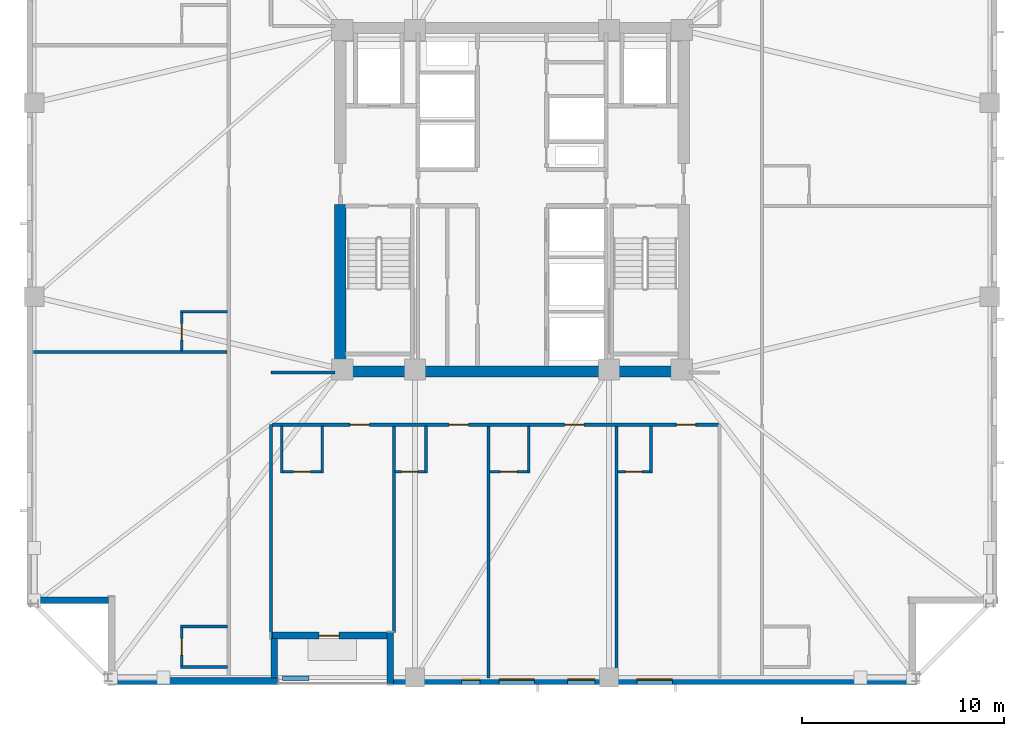
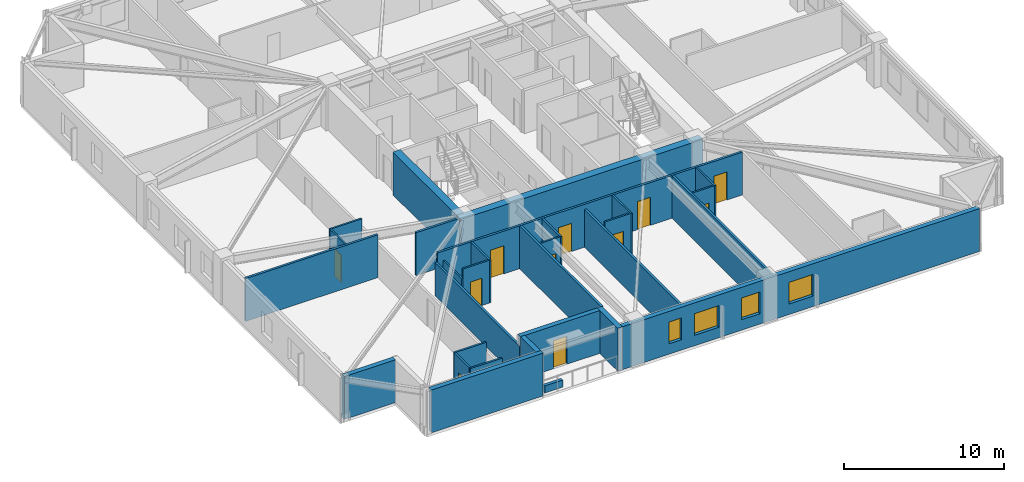
# One storey, part 2 of 10: 30 walls, 11 doors, 4 windows, 15 openings.
"""IFC4 building model written with IfcOpenShell, lengths in metres."""

from ifc_helpers import new_model, si_unit, direction, frame, frame_2d, origin, place, context, subcontext, project, spatial, rectangle, extrude, material, layer, layer_set, type_object, element, fill, save


model = new_model("IFC4")

# Units and contexts
model_context = context("Model", 3, precision=1e-05, world=origin(), true_north=direction((0.0, 1.0)))
body_context = subcontext(model_context, "Body", "Model", "MODEL_VIEW")
ifc_project = project(units=[si_unit("LENGTHUNIT", "METRE"), si_unit("AREAUNIT", "SQUARE_METRE"), si_unit("VOLUMEUNIT", "CUBIC_METRE"), si_unit("PLANEANGLEUNIT", "RADIAN"), si_unit("MASSUNIT", "GRAM", prefix="KILO")], contexts=[model_context])

# Site, building, storey
site_placement = place(None, origin())
site = spatial("IfcSite", under=ifc_project, at=site_placement, CompositionType="ELEMENT")
building_placement = place(site_placement, origin())
building = spatial("IfcBuilding", under=site, at=building_placement, Name="Cairnveth Concourse Tower", CompositionType="ELEMENT")
storey_placement = place(building_placement, frame((0.0, 0.0, 144.5)))
storey = spatial("IfcBuildingStorey", under=building, at=storey_placement, Name="L39", CompositionType="ELEMENT", Elevation=144.5)

# Walls
ifc_material_1 = material(Name="Gypsum Plasterboard Partition", Category="gypsum")
ifc_layer_1 = layer(ifc_material_1, 0.159912109375)
ifc_layer_set_1 = layer_set([ifc_layer_1], Name="Gypsum Plasterboard Partition")
wall_type_1 = type_object("IfcWallType", Name="ACOUSTIC PARTY WALL 180", PredefinedType="PARTITIONING", material=ifc_layer_set_1)
wall_1_placement = place(storey_placement, frame((40.074951171875, 17.261962890625, 0.0), z_axis=(0.0, 0.0, 1.0), x_axis=(0.0, 1.0, 0.0)))
element("IfcWall", 1, at=wall_1_placement, inside=storey, type_object=wall_type_1, Name="Interior Wall IW-L39-038", PredefinedType="PARTITIONING", context=body_context, shape_type="SweptSolid", body=[
    extrude(rectangle(XDim=10.59814453125, YDim=0.159912109375, at=frame_2d((5.299072265625, 0.0))), origin(), (0.0, 0.0, 1.0), 2.554931640625),
])
wall_2_placement = place(storey_placement, frame((40.074951171875, 30.449951171875, 0.0), z_axis=(0.0, 0.0, 1.0), x_axis=(1.0, 0.0, 0.0)))
element("IfcWall", 2, at=wall_2_placement, inside=storey, type_object=wall_type_1, Name="Interior Wall IW-L39-040", PredefinedType="PARTITIONING", context=body_context, shape_type="SweptSolid", body=[
    extrude(rectangle(XDim=3.16015625, YDim=0.159912109375, at=frame_2d((1.580078125, 0.0))), origin(), (0.0, 0.0, 1.0), 3.280029296875),
])

# Wall, openings, doors
wall_3_placement = place(storey_placement, frame((40.139892578125, 27.860107421875, 0.0), z_axis=(0.0, 0.0, 1.0), x_axis=(1.0, 0.0, 0.0)))
wall_3 = element("IfcWall", 3, at=wall_3_placement, inside=storey, type_object=wall_type_1, Name="Interior Wall IW-L39-047", PredefinedType="PARTITIONING", context=body_context, shape_type="SweptSolid", body=[
    extrude(rectangle(XDim=22.070068359375, YDim=0.159912109375, at=frame_2d((11.03515625, 0.0))), origin(), (0.0, 0.0, 1.0), 3.280029296875),
])
opening_1_placement = place(wall_3_placement, frame((3.833740234375, 0.0, 0.0)))
opening_1 = element("IfcOpeningElement", 4, at=opening_1_placement, cuts=wall_3, Name="Opening ID09", PredefinedType="OPENING", context=body_context, shape_type="SweptSolid", body=[
    extrude(rectangle(XDim=0.9599609375, YDim=2.14990234375, at=frame_2d((0.47998046875, 1.074951171875))), frame((0.0, 0.08984375, 0.0), z_axis=(0.0, -1.0, 0.0), x_axis=(1.0, 0.0, 0.0)), (0.0, 0.0, 1.0), 0.179931640625),
])
opening_2_placement = place(wall_3_placement, frame((8.746337890625, 0.0, 0.0)))
opening_2 = element("IfcOpeningElement", 5, at=opening_2_placement, cuts=wall_3, Name="Opening ID09", PredefinedType="OPENING", context=body_context, shape_type="SweptSolid", body=[
    extrude(rectangle(XDim=0.9599609375, YDim=2.14990234375, at=frame_2d((0.47998046875, 1.074951171875))), frame((0.0, 0.08984375, 0.0), z_axis=(0.0, -1.0, 0.0), x_axis=(1.0, 0.0, 0.0)), (0.0, 0.0, 1.0), 0.179931640625),
])
opening_3_placement = place(wall_3_placement, frame((14.4599609375, 0.0, 0.0)))
opening_3 = element("IfcOpeningElement", 6, at=opening_3_placement, cuts=wall_3, Name="Opening ID09", PredefinedType="OPENING", context=body_context, shape_type="SweptSolid", body=[
    extrude(rectangle(XDim=0.9599609375, YDim=2.14990234375, at=frame_2d((0.47998046875, 1.074951171875))), frame((0.0, 0.08984375, 0.0), z_axis=(0.0, -1.0, 0.0), x_axis=(1.0, 0.0, 0.0)), (0.0, 0.0, 1.0), 0.179931640625),
])
opening_4_placement = place(wall_3_placement, frame((19.99267578125, 0.0, 0.0)))
opening_4 = element("IfcOpeningElement", 7, at=opening_4_placement, cuts=wall_3, Name="Opening ID09", PredefinedType="OPENING", context=body_context, shape_type="SweptSolid", body=[
    extrude(rectangle(XDim=0.9599609375, YDim=2.14990234375, at=frame_2d((0.47998046875, 1.074951171875))), frame((0.0, 0.08984375, 0.0), z_axis=(0.0, -1.0, 0.0), x_axis=(1.0, 0.0, 0.0)), (0.0, 0.0, 1.0), 0.179931640625),
])
ifc_material_2 = material(Name="Solid Core Hardwood Timber Leaf", Category="wood")
door_type_1 = type_object("IfcDoorType", Name="HOTEL ENTRANCE DOOR 960X2150", OperationType="NOTDEFINED", PredefinedType="DOOR", material=ifc_material_2)
door_1_placement = place(opening_1_placement, origin())
door_1 = element("IfcDoor", 8, at=door_1_placement, inside=storey, type_object=door_type_1, Name="Hotel Room Door L39-S1", OperationType="SINGLE_SWING_RIGHT", OverallHeight=2.14990234375, OverallWidth=0.9599609375, PredefinedType="DOOR", context=body_context, shape_type="SweptSolid", body=[
    extrude(rectangle(XDim=0.9599609375, YDim=2.14990234375, at=frame_2d((0.47998046875, 1.074951171875))), frame((0.0, 0.02490234375, 0.0), z_axis=(0.0, -1.0, 0.0), x_axis=(1.0, 0.0, 0.0)), (0.0, 0.0, 1.0), 0.050048828125),
])
fill(opening_1, door_1)
door_2_placement = place(opening_2_placement, origin())
door_2 = element("IfcDoor", 9, at=door_2_placement, inside=storey, type_object=door_type_1, Name="Hotel Room Door L39-S2", OperationType="SINGLE_SWING_RIGHT", OverallHeight=2.14990234375, OverallWidth=0.9599609375, PredefinedType="DOOR", context=body_context, shape_type="SweptSolid", body=[
    extrude(rectangle(XDim=0.9599609375, YDim=2.14990234375, at=frame_2d((0.47998046875, 1.074951171875))), frame((0.0, 0.02490234375, 0.0), z_axis=(0.0, -1.0, 0.0), x_axis=(1.0, 0.0, 0.0)), (0.0, 0.0, 1.0), 0.050048828125),
])
fill(opening_2, door_2)
door_3_placement = place(opening_3_placement, origin())
door_3 = element("IfcDoor", 10, at=door_3_placement, inside=storey, type_object=door_type_1, Name="Hotel Room Door L39-S3", OperationType="SINGLE_SWING_RIGHT", OverallHeight=2.14990234375, OverallWidth=0.9599609375, PredefinedType="DOOR", context=body_context, shape_type="SweptSolid", body=[
    extrude(rectangle(XDim=0.9599609375, YDim=2.14990234375, at=frame_2d((0.47998046875, 1.074951171875))), frame((0.0, 0.02490234375, 0.0), z_axis=(0.0, -1.0, 0.0), x_axis=(1.0, 0.0, 0.0)), (0.0, 0.0, 1.0), 0.050048828125),
])
fill(opening_3, door_3)
door_4_placement = place(opening_4_placement, origin())
door_4 = element("IfcDoor", 11, at=door_4_placement, inside=storey, type_object=door_type_1, Name="Hotel Room Door L39-S4", OperationType="SINGLE_SWING_RIGHT", OverallHeight=2.14990234375, OverallWidth=0.9599609375, PredefinedType="DOOR", context=body_context, shape_type="SweptSolid", body=[
    extrude(rectangle(XDim=0.9599609375, YDim=2.14990234375, at=frame_2d((0.47998046875, 1.074951171875))), frame((0.0, 0.02490234375, 0.0), z_axis=(0.0, -1.0, 0.0), x_axis=(1.0, 0.0, 0.0)), (0.0, 0.0, 1.0), 0.050048828125),
])
fill(opening_4, door_4)

# Walls
wall_4_placement = place(storey_placement, frame((46.152587890625, 17.580078125, 0.0), z_axis=(0.0, 0.0, 1.0), x_axis=(0.0, 1.0, 0.0)))
element("IfcWall", 12, at=wall_4_placement, inside=storey, type_object=wall_type_1, Name="Interior Wall IW-L39-053", PredefinedType="PARTITIONING", context=body_context, shape_type="SweptSolid", body=[
    extrude(rectangle(XDim=10.199951171875, YDim=0.159912109375, at=frame_2d((5.10009765625, 0.0))), origin(), (0.0, 0.0, 1.0), 3.280029296875),
])
wall_5_placement = place(storey_placement, frame((50.83740234375, 15.324951171875, 0.0), z_axis=(0.0, 0.0, 1.0), x_axis=(0.0, 1.0, 0.0)))
element("IfcWall", 13, at=wall_5_placement, inside=storey, type_object=wall_type_1, Name="Interior Wall IW-L39-056", PredefinedType="PARTITIONING", context=body_context, shape_type="SweptSolid", body=[
    extrude(rectangle(XDim=12.455078125, YDim=0.159912109375, at=frame_2d((6.2275390625, 0.0))), origin(), (0.0, 0.0, 1.0), 2.89599609375),
])
wall_6_placement = place(storey_placement, frame((57.172607421875, 15.324951171875, 0.0), z_axis=(0.0, 0.0, 1.0), x_axis=(0.0, 1.0, 0.0)))
element("IfcWall", 14, at=wall_6_placement, inside=storey, type_object=wall_type_1, Name="Interior Wall IW-L39-059", PredefinedType="PARTITIONING", context=body_context, shape_type="SweptSolid", body=[
    extrude(rectangle(XDim=12.455078125, YDim=0.159912109375, at=frame_2d((6.2275390625, 0.0))), origin(), (0.0, 0.0, 1.0), 3.280029296875),
])
wall_7_placement = place(storey_placement, frame((28.324951171875, 31.456787109375, 0.0), z_axis=(0.0, 0.0, 1.0), x_axis=(1.0, 0.0, 0.0)))
element("IfcWall", 15, at=wall_7_placement, inside=storey, type_object=wall_type_1, Name="Interior Wall IW-L39-065", PredefinedType="PARTITIONING", context=body_context, shape_type="SweptSolid", body=[
    extrude(rectangle(XDim=9.570068359375, YDim=0.159912109375, at=frame_2d((4.78515625, 0.0))), origin(), (0.0, 0.0, 1.0), 3.280029296875),
])
ifc_material_3 = material(Name="Concrete N80 (80 MPa)", Category="concrete")
ifc_layer_2 = layer(ifc_material_3, 0.550048828125)
ifc_layer_set_2 = layer_set([ifc_layer_2], Name="Concrete N80 (80 MPa)")
wall_type_2 = type_object("IfcWallType", Name="CORE SHEAR WALL 550", PredefinedType="SHEAR", material=ifc_layer_set_2)
wall_8_placement = place(storey_placement, frame((43.22509765625, 30.5, 0.0), z_axis=(0.0, 0.0, 1.0), x_axis=(1.0, 0.0, 0.0)))
element("IfcWall", 16, at=wall_8_placement, inside=storey, type_object=wall_type_2, Name="Core South Shear Wall L39", PredefinedType="SHEAR", context=body_context, shape_type="SweptSolid", body=[
    extrude(rectangle(XDim=17.5498046875, YDim=0.550048828125, at=frame_2d((8.77490234375, 0.0))), origin(), (0.0, 0.0, 1.0), 3.280029296875),
])
wall_9_placement = place(storey_placement, frame((43.5, 30.764892578125, 0.0), z_axis=(0.0, 0.0, 1.0), x_axis=(0.0, 1.0, 0.0)))
element("IfcWall", 17, at=wall_9_placement, inside=storey, type_object=wall_type_2, Name="Core West Shear Wall S L39", PredefinedType="SHEAR", context=body_context, shape_type="SweptSolid", body=[
    extrude(rectangle(XDim=7.985107421875, YDim=0.550048828125, at=frame_2d((3.99267578125, 0.0))), origin(), (0.0, 0.0, 1.0), 3.280029296875),
])
ifc_material_4 = material(Name="Dressed Melbourne Bluestone Cladding", Category="masonry")
ifc_layer_3 = layer(ifc_material_4, 0.219970703125)
ifc_layer_set_3 = layer_set([ifc_layer_3], Name="Dressed Melbourne Bluestone Cladding")
wall_type_3 = type_object("IfcWallType", Name="TERRACE PLANTER CURB WALL 220", PredefinedType="PARAPET", material=ifc_layer_set_3)
wall_10_placement = place(storey_placement, frame((40.64990234375, 15.320068359375, 0.0), z_axis=(0.0, 0.0, 1.0), x_axis=(1.0, 0.0, 0.0)))
element("IfcWall", 18, at=wall_10_placement, inside=storey, type_object=wall_type_3, Name="Exterior Wall PLNT-L39-TERR", PredefinedType="PARAPET", context=body_context, shape_type="SweptSolid", body=[
    extrude(rectangle(XDim=1.300048828125, YDim=0.219970703125, at=frame_2d((0.64990234375, 0.0))), origin(), (0.0, 0.0, 1.0), 0.550048828125),
])
ifc_layer_4 = layer(ifc_material_1, 0.1298828125)
ifc_layer_set_4 = layer_set([ifc_layer_4], Name="Gypsum Plasterboard Partition")
wall_type_4 = type_object("IfcWallType", Name="WET AREA PARTITION 140", PredefinedType="PLUMBINGWALL", material=ifc_layer_set_4)
wall_11_placement = place(storey_placement, frame((40.60498046875, 25.47998046875, 0.0), z_axis=(0.0, 0.0, 1.0), x_axis=(0.0, 1.0, 0.0)))
element("IfcWall", 19, at=wall_11_placement, inside=storey, type_object=wall_type_4, Name="Interior Wall IW-L39-050", PredefinedType="PLUMBINGWALL", context=body_context, shape_type="SweptSolid", body=[
    extrude(rectangle(XDim=2.31494140625, YDim=0.1298828125, at=frame_2d((1.157470703125, 0.0))), origin(), (0.0, 0.0, 1.0), 2.554931640625),
])
wall_12_placement = place(storey_placement, frame((42.60498046875, 25.47998046875, 0.0), z_axis=(0.0, 0.0, 1.0), x_axis=(0.0, 1.0, 0.0)))
element("IfcWall", 20, at=wall_12_placement, inside=storey, type_object=wall_type_4, Name="Interior Wall IW-L39-051", PredefinedType="PLUMBINGWALL", context=body_context, shape_type="SweptSolid", body=[
    extrude(rectangle(XDim=2.31494140625, YDim=0.1298828125, at=frame_2d((1.157470703125, 0.0))), origin(), (0.0, 0.0, 1.0), 3.280029296875),
])

# Wall, opening, door
wall_13_placement = place(storey_placement, frame((40.655029296875, 25.530029296875, 0.0), z_axis=(0.0, 0.0, 1.0), x_axis=(1.0, 0.0, 0.0)))
wall_13 = element("IfcWall", 21, at=wall_13_placement, inside=storey, type_object=wall_type_4, Name="Interior Wall IW-L39-052", PredefinedType="PLUMBINGWALL", context=body_context, shape_type="SweptSolid", body=[
    extrude(rectangle(XDim=1.89990234375, YDim=0.1298828125, at=frame_2d((0.949951171875, 0.0))), origin(), (0.0, 0.0, 1.0), 3.280029296875),
])
opening_5_placement = place(wall_13_placement, frame((0.5400390625, 0.0, 0.0)))
opening_5 = element("IfcOpeningElement", 22, at=opening_5_placement, cuts=wall_13, Name="Opening ID22", PredefinedType="OPENING", context=body_context, shape_type="SweptSolid", body=[
    extrude(rectangle(XDim=0.820068359375, YDim=2.10009765625, at=frame_2d((0.41015625, 1.050048828125))), frame((0.0, 0.074951171875, 0.0), z_axis=(0.0, -1.0, 0.0), x_axis=(1.0, 0.0, 0.0)), (0.0, 0.0, 1.0), 0.14990234375),
])
door_type_2 = type_object("IfcDoorType", Name="INTERIOR WC DOOR 820X2100", OperationType="NOTDEFINED", PredefinedType="DOOR", material=ifc_material_2)
door_5_placement = place(opening_5_placement, origin())
door_5 = element("IfcDoor", 23, at=door_5_placement, inside=storey, type_object=door_type_2, Name="En-Suite Door L39-S1", OperationType="SINGLE_SWING_LEFT", OverallHeight=2.10009765625, OverallWidth=0.820068359375, PredefinedType="DOOR", context=body_context, shape_type="SweptSolid", body=[
    extrude(rectangle(XDim=0.820068359375, YDim=2.10009765625, at=frame_2d((0.41015625, 1.050048828125))), frame((0.0, 0.02490234375, 0.0), z_axis=(0.0, -1.0, 0.0), x_axis=(1.0, 0.0, 0.0)), (0.0, 0.0, 1.0), 0.050048828125),
])
fill(opening_5, door_5)

# Wall
wall_14_placement = place(storey_placement, frame((47.745361328125, 25.47998046875, 0.0), z_axis=(0.0, 0.0, 1.0), x_axis=(0.0, 1.0, 0.0)))
element("IfcWall", 24, at=wall_14_placement, inside=storey, type_object=wall_type_4, Name="Interior Wall IW-L39-054", PredefinedType="PLUMBINGWALL", context=body_context, shape_type="SweptSolid", body=[
    extrude(rectangle(XDim=2.31494140625, YDim=0.1298828125, at=frame_2d((1.157470703125, 0.0))), origin(), (0.0, 0.0, 1.0), 3.280029296875),
])

# Wall, opening, door
wall_15_placement = place(storey_placement, frame((46.217529296875, 25.530029296875, 0.0), z_axis=(0.0, 0.0, 1.0), x_axis=(1.0, 0.0, 0.0)))
wall_15 = element("IfcWall", 25, at=wall_15_placement, inside=storey, type_object=wall_type_4, Name="Interior Wall IW-L39-055", PredefinedType="PLUMBINGWALL", context=body_context, shape_type="SweptSolid", body=[
    extrude(rectangle(XDim=1.477783203125, YDim=0.1298828125, at=frame_2d((0.73876953125, 0.0))), origin(), (0.0, 0.0, 1.0), 3.280029296875),
])
opening_6_placement = place(wall_15_placement, frame((0.3212890625, 0.0, 0.0)))
opening_6 = element("IfcOpeningElement", 26, at=opening_6_placement, cuts=wall_15, Name="Opening ID22", PredefinedType="OPENING", context=body_context, shape_type="SweptSolid", body=[
    extrude(rectangle(XDim=0.820068359375, YDim=2.10009765625, at=frame_2d((0.41015625, 1.050048828125))), frame((0.0, 0.074951171875, 0.0), z_axis=(0.0, -1.0, 0.0), x_axis=(1.0, 0.0, 0.0)), (0.0, 0.0, 1.0), 0.14990234375),
])
door_6_placement = place(opening_6_placement, origin())
door_6 = element("IfcDoor", 27, at=door_6_placement, inside=storey, type_object=door_type_2, Name="En-Suite Door L39-S2", OperationType="SINGLE_SWING_LEFT", OverallHeight=2.10009765625, OverallWidth=0.820068359375, PredefinedType="DOOR", context=body_context, shape_type="SweptSolid", body=[
    extrude(rectangle(XDim=0.820068359375, YDim=2.10009765625, at=frame_2d((0.41015625, 1.050048828125))), frame((0.0, 0.02490234375, 0.0), z_axis=(0.0, -1.0, 0.0), x_axis=(1.0, 0.0, 0.0)), (0.0, 0.0, 1.0), 0.050048828125),
])
fill(opening_6, door_6)

# Wall
wall_16_placement = place(storey_placement, frame((52.83740234375, 25.47998046875, 0.0), z_axis=(0.0, 0.0, 1.0), x_axis=(0.0, 1.0, 0.0)))
element("IfcWall", 28, at=wall_16_placement, inside=storey, type_object=wall_type_4, Name="Interior Wall IW-L39-057", PredefinedType="PLUMBINGWALL", context=body_context, shape_type="SweptSolid", body=[
    extrude(rectangle(XDim=2.31494140625, YDim=0.1298828125, at=frame_2d((1.157470703125, 0.0))), origin(), (0.0, 0.0, 1.0), 3.280029296875),
])

# Wall, opening, door
wall_17_placement = place(storey_placement, frame((50.902587890625, 25.530029296875, 0.0), z_axis=(0.0, 0.0, 1.0), x_axis=(1.0, 0.0, 0.0)))
wall_17 = element("IfcWall", 29, at=wall_17_placement, inside=storey, type_object=wall_type_4, Name="Interior Wall IW-L39-058", PredefinedType="PLUMBINGWALL", context=body_context, shape_type="SweptSolid", body=[
    extrude(rectangle(XDim=1.885009765625, YDim=0.1298828125, at=frame_2d((0.9423828125, 0.0))), origin(), (0.0, 0.0, 1.0), 3.280029296875),
])
opening_7_placement = place(wall_17_placement, frame((0.52490234375, 0.0, 0.0)))
opening_7 = element("IfcOpeningElement", 30, at=opening_7_placement, cuts=wall_17, Name="Opening ID22", PredefinedType="OPENING", context=body_context, shape_type="SweptSolid", body=[
    extrude(rectangle(XDim=0.820068359375, YDim=2.10009765625, at=frame_2d((0.41015625, 1.050048828125))), frame((0.0, 0.074951171875, 0.0), z_axis=(0.0, -1.0, 0.0), x_axis=(1.0, 0.0, 0.0)), (0.0, 0.0, 1.0), 0.14990234375),
])
door_7_placement = place(opening_7_placement, origin())
door_7 = element("IfcDoor", 31, at=door_7_placement, inside=storey, type_object=door_type_2, Name="En-Suite Door L39-S3", OperationType="SINGLE_SWING_LEFT", OverallHeight=2.10009765625, OverallWidth=0.820068359375, PredefinedType="DOOR", context=body_context, shape_type="SweptSolid", body=[
    extrude(rectangle(XDim=0.820068359375, YDim=2.10009765625, at=frame_2d((0.41015625, 1.050048828125))), frame((0.0, 0.02490234375, 0.0), z_axis=(0.0, -1.0, 0.0), x_axis=(1.0, 0.0, 0.0)), (0.0, 0.0, 1.0), 0.050048828125),
])
fill(opening_7, door_7)

# Wall
wall_18_placement = place(storey_placement, frame((58.880126953125, 25.47998046875, 0.0), z_axis=(0.0, 0.0, 1.0), x_axis=(0.0, 1.0, 0.0)))
element("IfcWall", 32, at=wall_18_placement, inside=storey, type_object=wall_type_4, Name="Interior Wall IW-L39-060", PredefinedType="PLUMBINGWALL", context=body_context, shape_type="SweptSolid", body=[
    extrude(rectangle(XDim=2.31494140625, YDim=0.1298828125, at=frame_2d((1.157470703125, 0.0))), origin(), (0.0, 0.0, 1.0), 3.280029296875),
])

# Wall, opening, door
wall_19_placement = place(storey_placement, frame((57.237548828125, 25.530029296875, 0.0), z_axis=(0.0, 0.0, 1.0), x_axis=(1.0, 0.0, 0.0)))
wall_19 = element("IfcWall", 33, at=wall_19_placement, inside=storey, type_object=wall_type_4, Name="Interior Wall IW-L39-061", PredefinedType="PLUMBINGWALL", context=body_context, shape_type="SweptSolid", body=[
    extrude(rectangle(XDim=1.592529296875, YDim=0.1298828125, at=frame_2d((0.79638671875, 0.0))), origin(), (0.0, 0.0, 1.0), 3.280029296875),
])
opening_8_placement = place(wall_19_placement, frame((0.37890625, 0.0, 0.0)))
opening_8 = element("IfcOpeningElement", 34, at=opening_8_placement, cuts=wall_19, Name="Opening ID22", PredefinedType="OPENING", context=body_context, shape_type="SweptSolid", body=[
    extrude(rectangle(XDim=0.820068359375, YDim=2.10009765625, at=frame_2d((0.41015625, 1.050048828125))), frame((0.0, 0.074951171875, 0.0), z_axis=(0.0, -1.0, 0.0), x_axis=(1.0, 0.0, 0.0)), (0.0, 0.0, 1.0), 0.14990234375),
])
door_8_placement = place(opening_8_placement, origin())
door_8 = element("IfcDoor", 35, at=door_8_placement, inside=storey, type_object=door_type_2, Name="En-Suite Door L39-S4", OperationType="SINGLE_SWING_LEFT", OverallHeight=2.10009765625, OverallWidth=0.820068359375, PredefinedType="DOOR", context=body_context, shape_type="SweptSolid", body=[
    extrude(rectangle(XDim=0.820068359375, YDim=2.10009765625, at=frame_2d((0.41015625, 1.050048828125))), frame((0.0, 0.02490234375, 0.0), z_axis=(0.0, -1.0, 0.0), x_axis=(1.0, 0.0, 0.0)), (0.0, 0.0, 1.0), 0.050048828125),
])
fill(opening_8, door_8)

# Walls
for number, where, z_axis, x_axis, name in (
    (36, (35.594970703125, 15.8701171875, 0.0), (0.0, 0.0, 1.0), (1.0, 0.0, 0.0), "Interior Wall IW-L39-062"),
    (37, (35.594970703125, 17.8701171875, 0.0), (0.0, 0.0, 1.0), (1.0, 0.0, 0.0), "Interior Wall IW-L39-063"),
):
    element("IfcWall", number, at=place(storey_placement, frame(where, z_axis=z_axis, x_axis=x_axis)), inside=storey, type_object=wall_type_4, Name=name, PredefinedType="PLUMBINGWALL", context=body_context, shape_type="SweptSolid", body=[
        extrude(rectangle(XDim=2.31494140625, YDim=0.1298828125, at=frame_2d((1.157470703125, 0.0))), origin(), (0.0, 0.0, 1.0), 3.280029296875),
    ])

# Wall, opening, door
wall_20_placement = place(storey_placement, frame((35.64501953125, 15.919921875, 0.0), z_axis=(0.0, 0.0, 1.0), x_axis=(0.0, 1.0, 0.0)))
wall_20 = element("IfcWall", 38, at=wall_20_placement, inside=storey, type_object=wall_type_4, Name="Interior Wall IW-L39-064", PredefinedType="PLUMBINGWALL", context=body_context, shape_type="SweptSolid", body=[
    extrude(rectangle(XDim=1.900146484375, YDim=0.1298828125, at=frame_2d((0.9501953125, 0.0))), origin(), (0.0, 0.0, 1.0), 3.280029296875),
])
opening_9_placement = place(wall_20_placement, frame((0.5400390625, 0.0, 0.0)))
opening_9 = element("IfcOpeningElement", 39, at=opening_9_placement, cuts=wall_20, Name="Opening ID22", PredefinedType="OPENING", context=body_context, shape_type="SweptSolid", body=[
    extrude(rectangle(XDim=0.820068359375, YDim=2.10009765625, at=frame_2d((0.41015625, 1.050048828125))), frame((0.0, 0.074951171875, 0.0), z_axis=(0.0, -1.0, 0.0), x_axis=(1.0, 0.0, 0.0)), (0.0, 0.0, 1.0), 0.14990234375),
])
door_9_placement = place(opening_9_placement, origin())
door_9 = element("IfcDoor", 40, at=door_9_placement, inside=storey, type_object=door_type_2, Name="En-Suite Door L39-W1", OperationType="SINGLE_SWING_LEFT", OverallHeight=2.10009765625, OverallWidth=0.820068359375, PredefinedType="DOOR", context=body_context, shape_type="SweptSolid", body=[
    extrude(rectangle(XDim=0.820068359375, YDim=2.10009765625, at=frame_2d((0.41015625, 1.050048828125))), frame((0.0, 0.02490234375, 0.0), z_axis=(0.0, -1.0, 0.0), x_axis=(1.0, 0.0, 0.0)), (0.0, 0.0, 1.0), 0.050048828125),
])
fill(opening_9, door_9)

# Wall
wall_21_placement = place(storey_placement, frame((35.594970703125, 33.456787109375, 0.0), z_axis=(0.0, 0.0, 1.0), x_axis=(1.0, 0.0, 0.0)))
element("IfcWall", 41, at=wall_21_placement, inside=storey, type_object=wall_type_4, Name="Interior Wall IW-L39-066", PredefinedType="PLUMBINGWALL", context=body_context, shape_type="SweptSolid", body=[
    extrude(rectangle(XDim=2.31494140625, YDim=0.1298828125, at=frame_2d((1.157470703125, 0.0))), origin(), (0.0, 0.0, 1.0), 3.280029296875),
])

# Wall, opening, door
wall_22_placement = place(storey_placement, frame((35.64501953125, 31.52197265625, 0.0), z_axis=(0.0, 0.0, 1.0), x_axis=(0.0, 1.0, 0.0)))
wall_22 = element("IfcWall", 42, at=wall_22_placement, inside=storey, type_object=wall_type_4, Name="Interior Wall IW-L39-067", PredefinedType="PLUMBINGWALL", context=body_context, shape_type="SweptSolid", body=[
    extrude(rectangle(XDim=1.885009765625, YDim=0.1298828125, at=frame_2d((0.9423828125, 0.0))), origin(), (0.0, 0.0, 1.0), 3.280029296875),
])
opening_10_placement = place(wall_22_placement, frame((0.52490234375, 0.0, 0.0)))
opening_10 = element("IfcOpeningElement", 43, at=opening_10_placement, cuts=wall_22, Name="Opening ID22", PredefinedType="OPENING", context=body_context, shape_type="SweptSolid", body=[
    extrude(rectangle(XDim=0.820068359375, YDim=2.10009765625, at=frame_2d((0.41015625, 1.050048828125))), frame((0.0, 0.074951171875, 0.0), z_axis=(0.0, -1.0, 0.0), x_axis=(1.0, 0.0, 0.0)), (0.0, 0.0, 1.0), 0.14990234375),
])
door_10_placement = place(opening_10_placement, origin())
door_10 = element("IfcDoor", 44, at=door_10_placement, inside=storey, type_object=door_type_2, Name="En-Suite Door L39-W2", OperationType="SINGLE_SWING_LEFT", OverallHeight=2.10009765625, OverallWidth=0.820068359375, PredefinedType="DOOR", context=body_context, shape_type="SweptSolid", body=[
    extrude(rectangle(XDim=0.820068359375, YDim=2.10009765625, at=frame_2d((0.41015625, 1.050048828125))), frame((0.0, 0.02490234375, 0.0), z_axis=(0.0, -1.0, 0.0), x_axis=(1.0, 0.0, 0.0)), (0.0, 0.0, 1.0), 0.050048828125),
])
fill(opening_10, door_10)

# Walls
ifc_material_5 = material(Name="Hawthorn Red-Ochre Fired Clay Brick Masonry", Category="masonry")
ifc_layer_5 = layer(ifc_material_5, 0.340087890625)
ifc_layer_set_5 = layer_set([ifc_layer_5], Name="Hawthorn Red-Ochre Fired Clay Brick Masonry")
wall_type_5 = type_object("IfcWallType", Name="ZONE 2 BRICK PIER SPANDREL WALL 340", PredefinedType="SOLIDWALL", material=ifc_layer_set_5)
wall_23_placement = place(storey_placement, frame((40.39990234375, 15.169921875, 0.0), z_axis=(0.0, 0.0, 1.0), x_axis=(-1.0, 0.0, 0.0)))
element("IfcWall", 45, at=wall_23_placement, inside=storey, type_object=wall_type_5, Name="Exterior Wall EW-L39-S00", PredefinedType="SOLIDWALL", context=body_context, shape_type="SweptSolid", body=[
    extrude(rectangle(XDim=8.081787109375, YDim=0.340087890625, at=frame_2d((4.041015625, 0.0))), origin(), (0.0, 0.0, 1.0), 3.280029296875),
])
wall_24_placement = place(storey_placement, frame((32.02197265625, 19.169921875, 0.0), z_axis=(0.0, 0.0, 1.0), x_axis=(-1.0, 0.0, 0.0)))
element("IfcWall", 46, at=wall_24_placement, inside=storey, type_object=wall_type_5, Name="Exterior Wall EW-L39-S02", PredefinedType="SOLIDWALL", context=body_context, shape_type="SweptSolid", body=[
    extrude(rectangle(XDim=3.703857421875, YDim=0.340087890625, at=frame_2d((1.85205078125, 0.0))), origin(), (0.0, 0.0, 1.0), 3.280029296875),
])

# Wall, openings, windows
wall_25_placement = place(storey_placement, frame((72.0, 15.169921875, 0.0), z_axis=(0.0, 0.0, 1.0), x_axis=(-1.0, 0.0, 0.0)))
wall_25 = element("IfcWall", 47, at=wall_25_placement, inside=storey, type_object=wall_type_5, Name="Exterior Wall EW-L39-S12", PredefinedType="SOLIDWALL", context=body_context, shape_type="SweptSolid", body=[
    extrude(rectangle(XDim=25.882080078125, YDim=0.340087890625, at=frame_2d((12.94091796875, 0.0))), origin(), (0.0, 0.0, 1.0), 3.280029296875),
])
opening_11_placement = place(wall_25_placement, frame((12.06591796875, 0.0, 0.800048828125)))
opening_11 = element("IfcOpeningElement", 48, at=opening_11_placement, cuts=wall_25, Name="Opening W06", PredefinedType="OPENING", context=body_context, shape_type="SweptSolid", body=[
    extrude(rectangle(XDim=1.75, YDim=1.659912109375, at=frame_2d((0.875, 0.830078125))), frame((0.0, 0.179931640625, 0.0), z_axis=(0.0, -1.0, 0.0), x_axis=(1.0, 0.0, 0.0)), (0.0, 0.0, 1.0), 0.360107421875),
])
opening_12_placement = place(wall_25_placement, frame((15.90234375, 0.0, 0.800048828125)))
opening_12 = element("IfcOpeningElement", 49, at=opening_12_placement, cuts=wall_25, Name="Opening W02", PredefinedType="OPENING", context=body_context, shape_type="SweptSolid", body=[
    extrude(rectangle(XDim=1.35009765625, YDim=1.659912109375, at=frame_2d((0.675048828125, 0.830078125))), frame((0.0, 0.179931640625, 0.0), z_axis=(0.0, -1.0, 0.0), x_axis=(1.0, 0.0, 0.0)), (0.0, 0.0, 1.0), 0.360107421875),
])
opening_13_placement = place(wall_25_placement, frame((18.888916015625, 0.0, 0.800048828125)))
opening_13 = element("IfcOpeningElement", 50, at=opening_13_placement, cuts=wall_25, Name="Opening W06", PredefinedType="OPENING", context=body_context, shape_type="SweptSolid", body=[
    extrude(rectangle(XDim=1.75, YDim=1.659912109375, at=frame_2d((0.875, 0.830078125))), frame((0.0, 0.179931640625, 0.0), z_axis=(0.0, -1.0, 0.0), x_axis=(1.0, 0.0, 0.0)), (0.0, 0.0, 1.0), 0.360107421875),
])
opening_14_placement = place(wall_25_placement, frame((21.590087890625, 0.0, 0.800048828125)))
opening_14 = element("IfcOpeningElement", 51, at=opening_14_placement, cuts=wall_25, Name="Opening W13", PredefinedType="OPENING", context=body_context, shape_type="SweptSolid", body=[
    extrude(rectangle(XDim=0.89990234375, YDim=1.659912109375, at=frame_2d((0.449951171875, 0.830078125))), frame((0.0, 0.179931640625, 0.0), z_axis=(0.0, -1.0, 0.0), x_axis=(1.0, 0.0, 0.0)), (0.0, 0.0, 1.0), 0.360107421875),
])
ifc_material_6 = material(Name="Double Glazed Low-E Clear Glass", Category="glass")
window_type_1 = type_object("IfcWindowType", Name="DEEP-SET BEDROOM LANCET WINDOW 900X1750", PartitioningType="DOUBLE_PANEL_VERTICAL", PredefinedType="WINDOW", material=ifc_material_6)
window_1_placement = place(opening_14_placement, origin())
window_1 = element("IfcWindow", 52, at=window_1_placement, inside=storey, type_object=window_type_1, Name="Dwelling Lancet Window L39-DW1", OverallHeight=1.659912109375, OverallWidth=0.89990234375, PartitioningType="SINGLE_PANEL", PredefinedType="WINDOW", context=body_context, shape_type="SweptSolid", body=[
    extrude(rectangle(XDim=0.89990234375, YDim=1.659912109375, at=frame_2d((0.449951171875, 0.830078125))), frame((0.0, -0.0400390625, 0.0), z_axis=(0.0, -1.0, 0.0), x_axis=(1.0, 0.0, 0.0)), (0.0, 0.0, 1.0), 0.06005859375),
])
fill(opening_14, window_1)
window_type_2 = type_object("IfcWindowType", Name="DEEP-SET GOTHIC LANCET WINDOW 1350X1800", PartitioningType="DOUBLE_PANEL_VERTICAL", PredefinedType="WINDOW", material=ifc_material_6)
window_2_placement = place(opening_12_placement, origin())
window_2 = element("IfcWindow", 53, at=window_2_placement, inside=storey, type_object=window_type_2, Name="Gothic Lancet Window L39-12-4", OverallHeight=1.659912109375, OverallWidth=1.35009765625, PartitioningType="SINGLE_PANEL", PredefinedType="WINDOW", context=body_context, shape_type="SweptSolid", body=[
    extrude(rectangle(XDim=1.35009765625, YDim=1.659912109375, at=frame_2d((0.675048828125, 0.830078125))), frame((0.0, -0.050048828125, 0.0), z_axis=(0.0, -1.0, 0.0), x_axis=(1.0, 0.0, 0.0)), (0.0, 0.0, 1.0), 0.06005859375),
])
fill(opening_12, window_2)
window_type_3 = type_object("IfcWindowType", Name="DEEP-SET HOTEL SUITE WINDOW 1750X1800", PartitioningType="DOUBLE_PANEL_VERTICAL", PredefinedType="WINDOW", material=ifc_material_6)
window_3_placement = place(opening_11_placement, origin())
window_3 = element("IfcWindow", 54, at=window_3_placement, inside=storey, type_object=window_type_3, Name="Gothic Lancet Window L39-12-3", OverallHeight=1.659912109375, OverallWidth=1.75, PartitioningType="SINGLE_PANEL", PredefinedType="WINDOW", context=body_context, shape_type="SweptSolid", body=[
    extrude(rectangle(XDim=1.75, YDim=1.659912109375, at=frame_2d((0.875, 0.830078125))), frame((0.0, -0.050048828125, 0.0), z_axis=(0.0, -1.0, 0.0), x_axis=(1.0, 0.0, 0.0)), (0.0, 0.0, 1.0), 0.06005859375),
])
fill(opening_11, window_3)
window_4_placement = place(opening_13_placement, origin())
window_4 = element("IfcWindow", 55, at=window_4_placement, inside=storey, type_object=window_type_3, Name="Gothic Lancet Window L39-12-5", OverallHeight=1.659912109375, OverallWidth=1.75, PartitioningType="SINGLE_PANEL", PredefinedType="WINDOW", context=body_context, shape_type="SweptSolid", body=[
    extrude(rectangle(XDim=1.75, YDim=1.659912109375, at=frame_2d((0.875, 0.830078125))), frame((0.0, -0.050048828125, 0.0), z_axis=(0.0, -1.0, 0.0), x_axis=(1.0, 0.0, 0.0)), (0.0, 0.0, 1.0), 0.06005859375),
])
fill(opening_13, window_4)

# Wall
wall_26_placement = place(storey_placement, frame((45.969970703125, 15.0, 0.0), z_axis=(0.0, 0.0, 1.0), x_axis=(0.0, 1.0, 0.0)))
element("IfcWall", 56, at=wall_26_placement, inside=storey, type_object=wall_type_5, Name="Exterior Wall EW-L39-S13", PredefinedType="SOLIDWALL", context=body_context, shape_type="SweptSolid", body=[
    extrude(rectangle(XDim=2.590087890625, YDim=0.340087890625, at=frame_2d((1.294921875, 0.0))), origin(), (0.0, 0.0, 1.0), 3.280029296875),
])

# Wall, opening, door
wall_27_placement = place(storey_placement, frame((45.822021484375, 17.419921875, 0.0), z_axis=(0.0, 0.0, 1.0), x_axis=(-1.0, 0.0, 0.0)))
wall_27 = element("IfcWall", 57, at=wall_27_placement, inside=storey, type_object=wall_type_5, Name="Exterior Wall EW-L39-S14", PredefinedType="SOLIDWALL", context=body_context, shape_type="SweptSolid", body=[
    extrude(rectangle(XDim=5.761962890625, YDim=0.340087890625, at=frame_2d((2.880859375, 0.0))), origin(), (0.0, 0.0, 1.0), 3.280029296875),
])
opening_15_placement = place(wall_27_placement, frame((2.381103515625, 0.0, 0.0)))
opening_15 = element("IfcOpeningElement", 58, at=opening_15_placement, cuts=wall_27, Name="Opening ED4", PredefinedType="OPENING", context=body_context, shape_type="SweptSolid", body=[
    extrude(rectangle(XDim=1.0, YDim=2.14990234375, at=frame_2d((0.5, 1.074951171875))), frame((0.0, 0.179931640625, 0.0), z_axis=(0.0, -1.0, 0.0), x_axis=(1.0, 0.0, 0.0)), (0.0, 0.0, 1.0), 0.360107421875),
])
ifc_material_7 = material(Name="Architectural Bronze Anodised Aluminium 6063-T6", Category="aluminium")
door_type_3 = type_object("IfcDoorType", Name="TERRACE GLAZED DOOR 1000X2150", OperationType="NOTDEFINED", PredefinedType="DOOR", material=ifc_material_7)
door_11_placement = place(opening_15_placement, origin())
door_11 = element("IfcDoor", 59, at=door_11_placement, inside=storey, type_object=door_type_3, Name="Spiral Terrace Door L39", OperationType="SINGLE_SWING_RIGHT", OverallHeight=2.14990234375, OverallWidth=1.0, PredefinedType="DOOR", context=body_context, shape_type="SweptSolid", body=[
    extrude(rectangle(XDim=1.0, YDim=2.14990234375, at=frame_2d((0.5, 1.074951171875))), frame((0.0, 0.02490234375, 0.0), z_axis=(0.0, -1.0, 0.0), x_axis=(1.0, 0.0, 0.0)), (0.0, 0.0, 1.0), 0.050048828125),
])
fill(opening_15, door_11)

# Wall
wall_28_placement = place(storey_placement, frame((40.22998046875, 17.27197265625, 0.0), z_axis=(0.0, 0.0, 1.0), x_axis=(0.0, -1.0, 0.0)))
element("IfcWall", 60, at=wall_28_placement, inside=storey, type_object=wall_type_5, Name="Exterior Wall EW-L39-S15", PredefinedType="SOLIDWALL", context=body_context, shape_type="SweptSolid", body=[
    extrude(rectangle(XDim=1.953857421875, YDim=0.340087890625, at=frame_2d((0.97705078125, 0.0))), origin(), (0.0, 0.0, 1.0), 3.280029296875),
])

save(model, "model.ifc")
